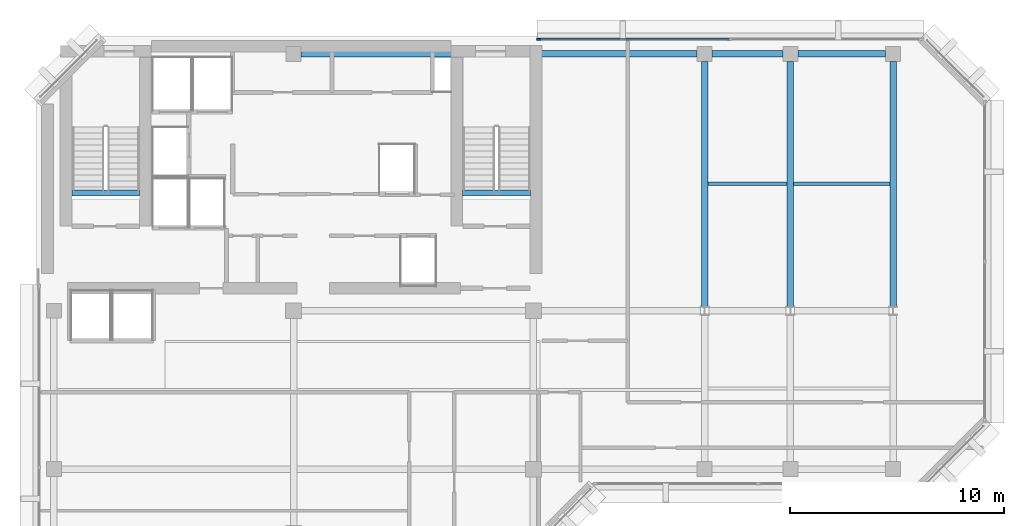
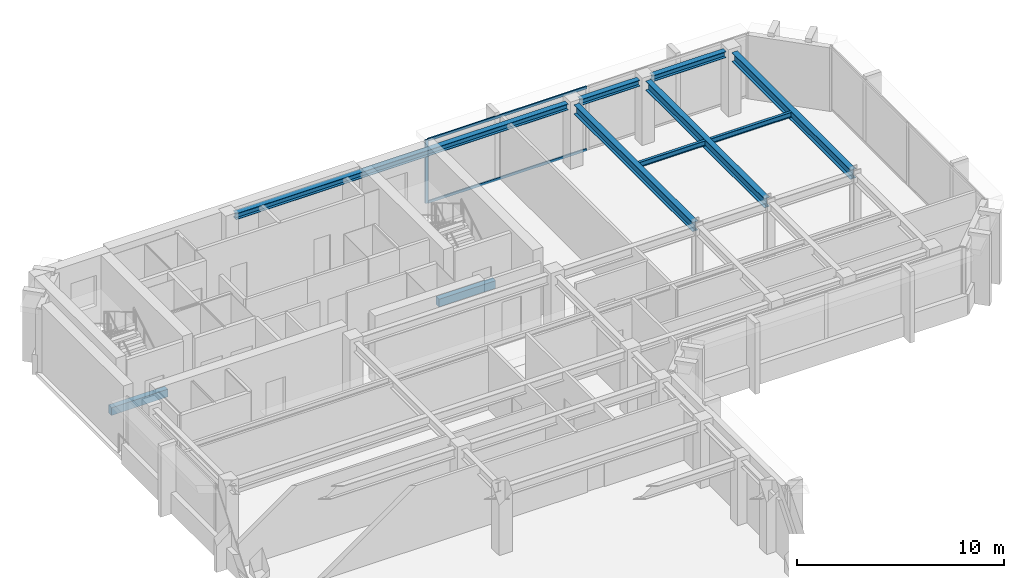
# One storey, part 4 of 11: 10 beams, 3 members, 1 element without a shape of its own.
"""IFC4 building model written with IfcOpenShell, lengths in metres."""

from ifc_helpers import new_model, si_unit, direction, frame, origin, origin_2d, place, context, subcontext, project, spatial, rectangle, i_section, extrude, material, layer, layer_set, material_profile, profile_set, type_object, element, aggregate, save


model = new_model("IFC4")

# Units and contexts
model_context = context("Model", 3, precision=1e-05, world=origin(), true_north=direction((0.0, 1.0)))
body_context = subcontext(model_context, "Body", "Model", "MODEL_VIEW")
ifc_project = project(units=[si_unit("LENGTHUNIT", "METRE"), si_unit("AREAUNIT", "SQUARE_METRE"), si_unit("VOLUMEUNIT", "CUBIC_METRE"), si_unit("PLANEANGLEUNIT", "RADIAN"), si_unit("MASSUNIT", "GRAM", prefix="KILO")], contexts=[model_context])

# Site, building, storey
site_placement = place(None, origin())
site = spatial("IfcSite", under=ifc_project, at=site_placement, CompositionType="ELEMENT")
building_placement = place(site_placement, origin())
building = spatial("IfcBuilding", under=site, at=building_placement, Name="Kefirva Bronze Tower", CompositionType="ELEMENT")
storey_placement = place(building_placement, frame((0.0, 0.0, 323.72998046875)))
storey = spatial("IfcBuildingStorey", under=building, at=storey_placement, Name="L79", CompositionType="ELEMENT", Elevation=323.72998046875)

# Curtain wall, members
ifc_material_1 = material(Name="Bronze anodised aluminium", Category="aluminium")
ifc_layer = layer(ifc_material_1, 0.179931640625, Name="Bronze anodised aluminium")
ifc_layer_set = layer_set([ifc_layer], Name="Bronze anodised aluminium")
curtain_wall_type = type_object("IfcCurtainWallType", Name="Unitised Bronze Ribbon Curtain Wall Zone 4", PredefinedType="USERDEFINED", material=ifc_layer_set)
curtain_wall_placement = place(storey_placement, origin())
curtain_wall = element("IfcCurtainWall", 1, at=curtain_wall_placement, inside=storey, type_object=curtain_wall_type, Name="L79 Curtain Wall 4", ObjectType="UNITISED CURTAIN WALL", PredefinedType="USERDEFINED")
ifc_material_profile_1 = material_profile(ifc_material_1, rectangle(XDim=0.074951171875, YDim=0.179931640625, at=origin_2d()), Name="ALU 75x180")
ifc_profile_set_1 = profile_set([ifc_material_profile_1], Name="Bronze anodised aluminium")
member_type_1 = type_object("IfcMemberType", Name="Bronze Mullion 75x180", PredefinedType="MULLION", material=ifc_profile_set_1)
member_1_placement = place(storey_placement, frame((23.4423828125, 45.8798828125, 0.0), z_axis=(0.0, 0.0, 1.0), x_axis=(0.0, -1.0, 0.0)))
member_1 = element("IfcMember", 2, at=member_1_placement, type_object=member_type_1, Name="CW-04 mullion 3", PredefinedType="MULLION", context=body_context, shape_type="SweptSolid", body=[
    extrude(rectangle(XDim=0.074951171875, YDim=0.179931640625, at=origin_2d()), origin(), (0.0, 0.0, 1.0), 3.739990234375),
])
ifc_material_profile_2 = material_profile(ifc_material_1, rectangle(XDim=0.074951171875, YDim=0.14990234375, at=origin_2d()), Name="ALU 75x150")
ifc_profile_set_2 = profile_set([ifc_material_profile_2], Name="Bronze anodised aluminium")
member_type_2 = type_object("IfcMemberType", Name="Bronze Transom 75x150", PredefinedType="USERDEFINED", material=ifc_profile_set_2)
member_2_placement = place(storey_placement, frame((32.33740234375, 45.8798828125, 0.03759765625), z_axis=(-1.0, 0.0, 0.0), x_axis=(0.0, -1.0, 0.0)))
member_2 = element("IfcMember", 3, at=member_2_placement, type_object=member_type_2, Name="CW-04 transom 2.1", ObjectType="TRANSOM", PredefinedType="USERDEFINED", context=body_context, shape_type="SweptSolid", body=[
    extrude(rectangle(XDim=0.074951171875, YDim=0.14990234375, at=origin_2d()), origin(), (0.0, 0.0, 1.0), 8.857421875),
])
member_3_placement = place(storey_placement, frame((32.33740234375, 45.8798828125, 3.70263671875), z_axis=(-1.0, 0.0, 0.0), x_axis=(0.0, -1.0, 0.0)))
member_3 = element("IfcMember", 4, at=member_3_placement, type_object=member_type_2, Name="CW-04 transom 2.2", ObjectType="TRANSOM", PredefinedType="USERDEFINED", context=body_context, shape_type="SweptSolid", body=[
    extrude(rectangle(XDim=0.074951171875, YDim=0.14990234375, at=origin_2d()), origin(), (0.0, 0.0, 1.0), 8.857421875),
])
aggregate(curtain_wall, [member_1, member_2, member_3])

# Beams
ifc_material_2 = material(Name="Concrete C50/60", Category="concrete")
ifc_material_profile_3 = material_profile(ifc_material_2, rectangle(XDim=0.300048828125, YDim=0.449951171875, at=origin_2d()), Name="RC 300x450")
ifc_profile_set_3 = profile_set([ifc_material_profile_3], Name="Concrete C50/60")
beam_type_1 = type_object("IfcBeamType", Name="RC Stair Trimmer Beam 300x450", PredefinedType="BEAM", material=ifc_profile_set_3)
beam_1_placement = place(storey_placement, frame((1.64501953125, 38.699951171875, -0.22509765625), z_axis=(1.0, 0.0, 0.0), x_axis=(0.0, 1.0, 0.0)))
element("IfcBeam", 5, at=beam_1_placement, inside=storey, type_object=beam_type_1, Name="L79 Stair 1 Landing Trimmer Beam", PredefinedType="BEAM", context=body_context, shape_type="SweptSolid", body=[
    extrude(rectangle(XDim=0.300048828125, YDim=0.449951171875, at=origin_2d()), origin(), (0.0, 0.0, 1.0), 3.14990234375),
])
beam_2_placement = place(storey_placement, frame((19.89501953125, 38.699951171875, -0.22509765625), z_axis=(1.0, 0.0, 0.0), x_axis=(0.0, 1.0, 0.0)))
element("IfcBeam", 6, at=beam_2_placement, inside=storey, type_object=beam_type_1, Name="L79 Stair 2 Landing Trimmer Beam", PredefinedType="BEAM", context=body_context, shape_type="SweptSolid", body=[
    extrude(rectangle(XDim=0.300048828125, YDim=0.449951171875, at=origin_2d()), origin(), (0.0, 0.0, 1.0), 3.159912109375),
])
ifc_material_3 = material(Name="Steel S355", Category="steel")
ifc_material_profile_4 = material_profile(ifc_material_3, i_section(OverallWidth=0.14990234375, OverallDepth=0.300048828125, WebThickness=0.007080078125, FlangeThickness=0.0107421875, at=origin_2d()), Name="IPE 300")
ifc_profile_set_4 = profile_set([ifc_material_profile_4], Name="Steel S355")
beam_type_2 = type_object("IfcBeamType", Name="Steel Floor Joist IPE 300", PredefinedType="JOIST", material=ifc_profile_set_4)
beam_3_placement = place(storey_placement, frame((31.35009765625, 39.12890625, 3.590087890625), z_axis=(1.0, 0.0, 0.0), x_axis=(0.0, 1.0, 0.0)))
element("IfcBeam", 7, at=beam_3_placement, inside=storey, type_object=beam_type_2, Name="L79 JST-L79-31-391", PredefinedType="JOIST", context=body_context, shape_type="SweptSolid", body=[
    extrude(i_section(OverallWidth=0.14990234375, OverallDepth=0.300048828125, WebThickness=0.007080078125, FlangeThickness=0.0107421875, at=origin_2d()), origin(), (0.0, 0.0, 1.0), 3.699951171875),
])
beam_4_placement = place(storey_placement, frame((35.35009765625, 39.12890625, 3.590087890625), z_axis=(1.0, 0.0, 0.0), x_axis=(0.0, 1.0, 0.0)))
element("IfcBeam", 8, at=beam_4_placement, inside=storey, type_object=beam_type_2, Name="L79 JST-L79-35-391", PredefinedType="JOIST", context=body_context, shape_type="SweptSolid", body=[
    extrude(i_section(OverallWidth=0.14990234375, OverallDepth=0.300048828125, WebThickness=0.007080078125, FlangeThickness=0.0107421875, at=origin_2d()), origin(), (0.0, 0.0, 1.0), 4.5),
])
ifc_material_profile_5 = material_profile(ifc_material_3, i_section(OverallWidth=0.300048828125, OverallDepth=0.550048828125, WebThickness=0.014892578125, FlangeThickness=0.029052734375, at=origin_2d()), Name="HEB 550")
ifc_profile_set_5 = profile_set([ifc_material_profile_5], Name="Steel S355")
beam_type_3 = type_object("IfcBeamType", Name="Steel Girder HEB 550", PredefinedType="USERDEFINED", material=ifc_profile_set_5)
for number, where, z_axis, x_axis, name in (
    (9, (31.199951171875, 33.407958984375, 3.465087890625), (0.0, 1.0, 0.0), (-1.0, 0.0, 0.0), "L79 BM-L79-NS-312-33"),
    (10, (35.199951171875, 33.407958984375, 3.465087890625), (0.0, 1.0, 0.0), (-1.0, 0.0, 0.0), "L79 BM-L79-NS-352-33"),
    (11, (40.0, 33.407958984375, 3.465087890625), (0.0, 1.0, 0.0), (-1.0, 0.0, 0.0), "L79 BM-L79-NS-400-33"),
):
    element("IfcBeam", number, at=place(storey_placement, frame(where, z_axis=z_axis, x_axis=x_axis)), inside=storey, type_object=beam_type_3, Name=name, ObjectType="GIRDER", PredefinedType="USERDEFINED", context=body_context, shape_type="SweptSolid", body=[
        extrude(i_section(OverallWidth=0.300048828125, OverallDepth=0.550048828125, WebThickness=0.014892578125, FlangeThickness=0.029052734375, at=origin_2d()), origin(), (0.0, 0.0, 1.0), 11.442138671875),
    ])
ifc_material_profile_6 = material_profile(ifc_material_3, i_section(OverallWidth=0.300048828125, OverallDepth=0.360107421875, WebThickness=0.012451171875, FlangeThickness=0.0224609375, at=origin_2d()), Name="HEB 360")
ifc_profile_set_6 = profile_set([ifc_material_profile_6], Name="Steel S355")
beam_type_4 = type_object("IfcBeamType", Name="Steel Spandrel HEB 360 Ext", PredefinedType="SPANDREL", material=ifc_profile_set_6)
beam_5_placement = place(storey_placement, frame((12.35009765625, 45.199951171875, 3.56005859375), z_axis=(1.0, 0.0, 0.0), x_axis=(0.0, 1.0, 0.0)))
element("IfcBeam", 12, at=beam_5_placement, inside=storey, type_object=beam_type_4, Name="L79 BM-L79-EW-12-452", PredefinedType="SPANDREL", context=body_context, shape_type="SweptSolid", body=[
    extrude(i_section(OverallWidth=0.300048828125, OverallDepth=0.360107421875, WebThickness=0.012451171875, FlangeThickness=0.0224609375, at=origin_2d()), origin(), (0.0, 0.0, 1.0), 18.5),
])
beam_6_placement = place(storey_placement, frame((31.550048828125, 45.199951171875, 3.56005859375), z_axis=(1.0, 0.0, 0.0), x_axis=(0.0, 1.0, 0.0)))
element("IfcBeam", 13, at=beam_6_placement, inside=storey, type_object=beam_type_4, Name="L79 BM-L79-EW-31-452", PredefinedType="SPANDREL", context=body_context, shape_type="SweptSolid", body=[
    extrude(i_section(OverallWidth=0.300048828125, OverallDepth=0.360107421875, WebThickness=0.012451171875, FlangeThickness=0.0224609375, at=origin_2d()), origin(), (0.0, 0.0, 1.0), 3.300048828125),
])
beam_7_placement = place(storey_placement, frame((35.550048828125, 45.199951171875, 3.56005859375), z_axis=(1.0, 0.0, 0.0), x_axis=(0.0, 1.0, 0.0)))
element("IfcBeam", 14, at=beam_7_placement, inside=storey, type_object=beam_type_4, Name="L79 BM-L79-EW-35-452", PredefinedType="SPANDREL", context=body_context, shape_type="SweptSolid", body=[
    extrude(i_section(OverallWidth=0.300048828125, OverallDepth=0.360107421875, WebThickness=0.012451171875, FlangeThickness=0.0224609375, at=origin_2d()), origin(), (0.0, 0.0, 1.0), 4.099853515625),
])

save(model, "model.ifc")
